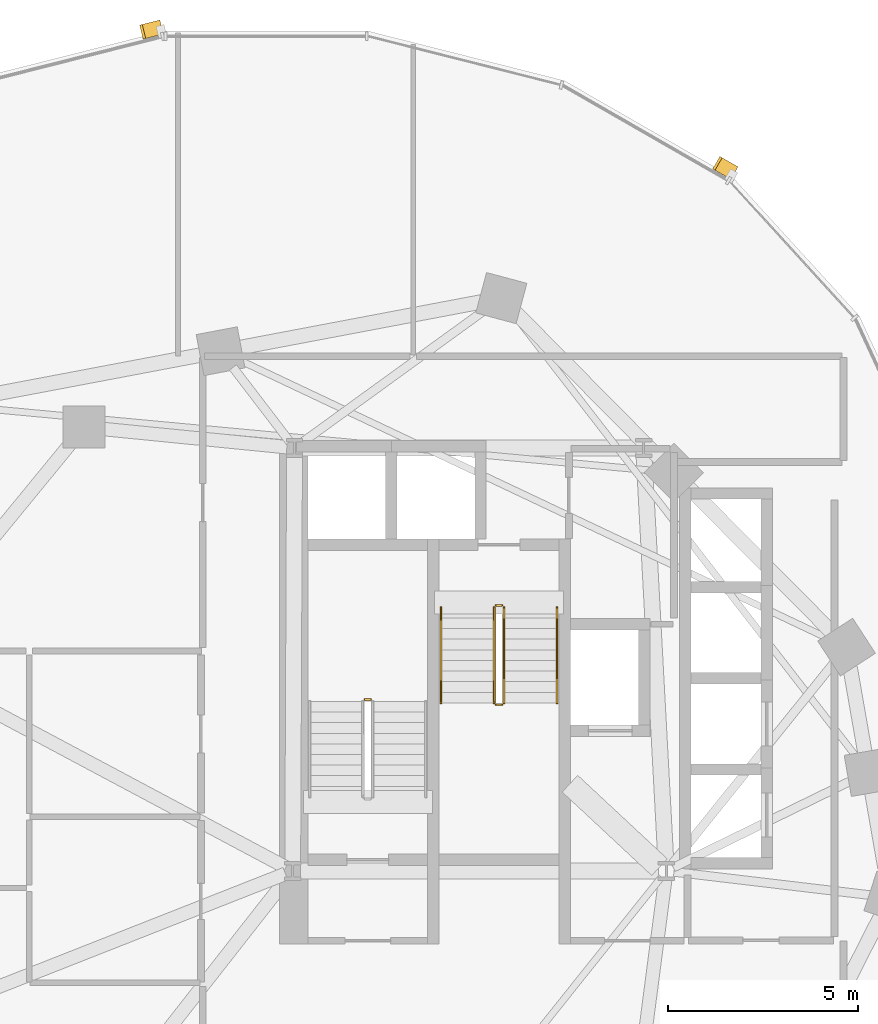
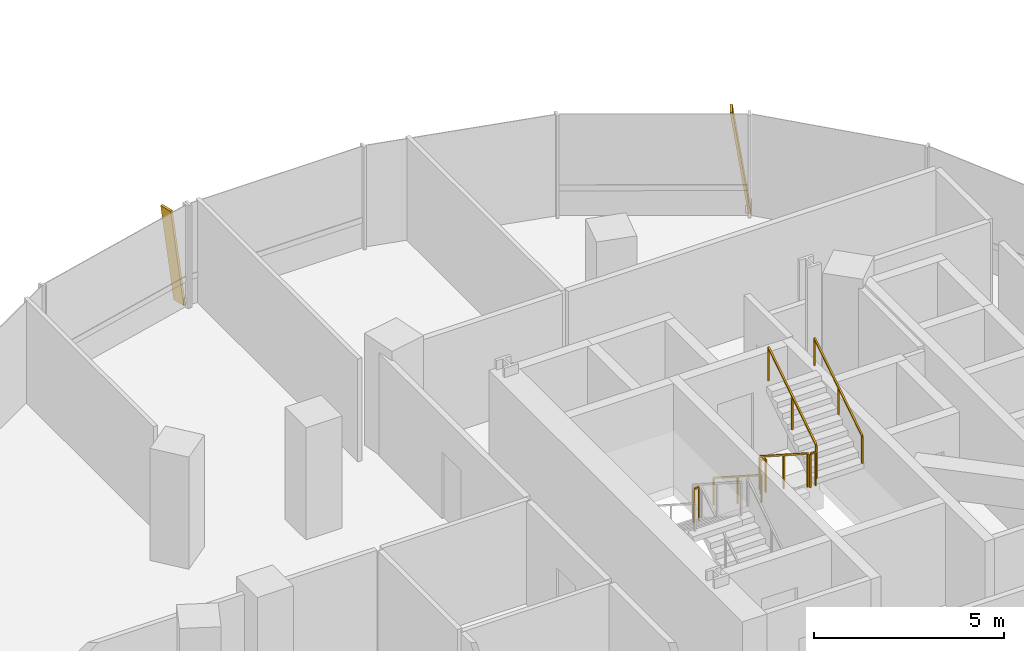
# One storey, part 19 of 21: 7 railings, 2 shading devices.
"""IFC4 building model written with IfcOpenShell, lengths in metres."""

import ifcopenshell
import ifcopenshell.guid

model = None  # the IFC model being written
_history = None  # IfcOwnerHistory: only IFC2X3 demands one
_inside = {}  # id of a spatial element -> (the spatial element, [elements in it])
_under = {}  # id of a project, library or spatial element -> (it, [spatial elements below it])
_declared = {}  # id of a project -> (the project, [libraries it declares])
_typed = {}  # id of a type object -> (the type object, [elements of that type])
_made_of = {}  # id of a material, layer set ... -> (it, [elements and type objects made of it])


def new_model(schema):
    """Start an empty IFC model of exactly this schema.

    Asked for "IFC4X3", IfcOpenShell would pick the latest addendum, in which some entities
    have other attributes; the version numbers below select the first issue.
    IFC2X3 requires an IfcOwnerHistory on every rooted entity: one is made here for all.
    """
    global model, _history
    if schema == "IFC4X3":
        model = ifcopenshell.file(schema_version=(4, 3, 0, 0))
    else:
        model = ifcopenshell.file(schema=schema)
    _inside.clear()
    _under.clear()
    _declared.clear()
    _typed.clear()
    _made_of.clear()
    _history = None
    if model.schema == "IFC2X3":
        org = make("IfcOrganization", Name="unknown")
        user = make(
            "IfcPersonAndOrganization",
            ThePerson=make("IfcPerson", FamilyName="unknown"),
            TheOrganization=org,
        )
        app = make(
            "IfcApplication",
            ApplicationDeveloper=org,
            Version="unknown",
            ApplicationFullName="unknown",
            ApplicationIdentifier="unknown",
        )
        _history = make(
            "IfcOwnerHistory",
            OwningUser=user,
            OwningApplication=app,
            ChangeAction="ADDED",
            CreationDate=0,
        )
    return model


def make(cls, **values):
    """One entity of the class cls with the attributes given. An attribute that is None is left unset."""
    return model.create_entity(
        cls, **{name: value for name, value in values.items() if value is not None}
    )


def rooted(cls, **values):
    """An entity with a GlobalId (a new one), such as an element, a storey or a relation."""
    return make(cls, GlobalId=ifcopenshell.guid.new(), OwnerHistory=_history, **values)


def si_unit(unit_type, name, prefix=None):
    """IfcSIUnit, for example si_unit("LENGTHUNIT", "METRE", prefix="MILLI")."""
    return make("IfcSIUnit", UnitType=unit_type, Prefix=prefix, Name=name)


def assignment(units):
    """IfcUnitAssignment: the units of a project."""
    return None if units is None else make("IfcUnitAssignment", Units=units)


def point(xyz):
    """IfcCartesianPoint."""
    return None if xyz is None else make("IfcCartesianPoint", Coordinates=xyz)


def direction(xyz):
    """IfcDirection."""
    return None if xyz is None else make("IfcDirection", DirectionRatios=xyz)


def frame(location, z_axis=None, x_axis=None):
    """IfcAxis2Placement3D, a coordinate frame: its origin and axes. An axis left out is left unset."""
    return make(
        "IfcAxis2Placement3D",
        Location=point(location),
        Axis=direction(z_axis),
        RefDirection=direction(x_axis),
    )


def frame_2d(location, x_axis=None):
    """IfcAxis2Placement2D, a coordinate frame in the plane: its origin and x axis."""
    return make(
        "IfcAxis2Placement2D", Location=point(location), RefDirection=direction(x_axis)
    )


def origin():
    """The frame at (0, 0, 0) with its axes left unset."""
    return frame((0.0, 0.0, 0.0))


def origin_2d():
    """The frame at (0, 0) in the plane with its x axis left unset."""
    return frame_2d((0.0, 0.0))


def place(relative_to, where):
    """IfcLocalPlacement: puts the frame where relative to a parent placement (None: the world)."""
    return make(
        "IfcLocalPlacement", PlacementRelTo=relative_to, RelativePlacement=where
    )


def context(
    kind, dimensions, precision=None, world=None, true_north=None, identifier=None
):
    """IfcGeometricRepresentationContext, for example the 3D "Model" context."""
    return make(
        "IfcGeometricRepresentationContext",
        ContextIdentifier=identifier,
        ContextType=kind,
        CoordinateSpaceDimension=dimensions,
        Precision=precision,
        WorldCoordinateSystem=world,
        TrueNorth=true_north,
    )


def subcontext(parent, identifier, kind, view, scale=None):
    """IfcGeometricRepresentationSubContext, for example "Body" below "Model"."""
    return make(
        "IfcGeometricRepresentationSubContext",
        ContextIdentifier=identifier,
        ContextType=kind,
        ParentContext=parent,
        TargetScale=scale,
        TargetView=view,
    )


def project(units=None, contexts=None):
    """IfcProject with its units and contexts."""
    return rooted(
        "IfcProject",
        Name="project",
        RepresentationContexts=contexts,
        UnitsInContext=assignment(units),
    )


def spatial(cls, under=None, at=None, **own):
    """A site, building, storey or space (cls), placed at a placement, below another one or the project."""
    s = rooted(cls, ObjectPlacement=at, **own)
    if under is not None:
        _under.setdefault(under.id(), (under, []))[1].append(s)
    return s


def profile(cls, at=None, kind="AREA", **sizes):
    """A parametric profile (cls). Its sizes go by their IFC names, for example OverallWidth=200.0."""
    return make(cls, ProfileType=kind, Position=at, **sizes)


def rectangle(**sizes):
    """IfcRectangleProfileDef."""
    return profile("IfcRectangleProfileDef", **sizes)


def extrude(swept, where, along, depth):
    """IfcExtrudedAreaSolid: the profile swept, set in the frame where, extruded along a direction by depth."""
    return make(
        "IfcExtrudedAreaSolid",
        SweptArea=swept,
        Position=where,
        ExtrudedDirection=direction(along),
        Depth=depth,
    )


def shape(context_of_items, identifier, shape_type, items):
    """IfcShapeRepresentation: the items that make up one representation, for example the "Body"."""
    return make(
        "IfcShapeRepresentation",
        ContextOfItems=context_of_items,
        RepresentationIdentifier=identifier,
        RepresentationType=shape_type,
        Items=items,
    )


def material(Name=None, Category=None):
    """IfcMaterial."""
    return make("IfcMaterial", Name=Name, Category=Category)


def material_profile(
    of_material, cross_section, Name=None, Category=None, Priority=None
):
    """IfcMaterialProfile: a cross section and its material."""
    return make(
        "IfcMaterialProfile",
        Name=Name,
        Material=of_material,
        Profile=cross_section,
        Priority=Priority,
        Category=Category,
    )


def profile_set(profiles, Name=None, composite=None):
    """IfcMaterialProfileSet."""
    return make(
        "IfcMaterialProfileSet",
        Name=Name,
        MaterialProfiles=profiles,
        CompositeProfile=composite,
    )


def made_of(thing, what):
    """Note that an element or type object is made of a material, layer set ...; save() writes the relation."""
    if what is not None:
        _made_of.setdefault(what.id(), (what, []))[1].append(thing)
    return thing


def type_object(cls, material=None, **own):
    """A type object (cls), such as IfcWallType, which elements share."""
    return made_of(rooted(cls, **own), material)


def element(
    cls,
    number,
    at=None,
    inside=None,
    cuts=None,
    type_object=None,
    material=None,
    context=None,
    identifier="Body",
    shape_type=None,
    held_by="IfcProductDefinitionShape",
    body=None,
    shapes=None,
    **own,
):
    """One element of the class cls, such as IfcWall. Its Tag is "e" and its number.

    at: its placement. inside: the storey or other place that contains it. cuts: it is an
    opening in that element (IfcRelVoidsElement). A single representation is given by context,
    identifier, shape_type and body (its items); several are given by shapes. held_by: the class
    of the entity that holds the representations. save() writes the other relations.
    """
    e = rooted(cls, Tag="e%d" % number, ObjectPlacement=at, **own)
    if body is not None:
        shapes = [shape(context, identifier, shape_type, body)]
    if shapes is not None:
        e.Representation = make(held_by, Representations=shapes)
    if inside is not None:
        _inside.setdefault(inside.id(), (inside, []))[1].append(e)
    if cuts is not None:
        rooted(
            "IfcRelVoidsElement", RelatingBuildingElement=cuts, RelatedOpeningElement=e
        )
    if type_object is not None:
        _typed.setdefault(type_object.id(), (type_object, []))[1].append(e)
    return made_of(e, material)


def aggregate(whole, parts):
    """IfcRelAggregates: a whole, such as a stair, and the parts it consists of."""
    return rooted("IfcRelAggregates", RelatingObject=whole, RelatedObjects=parts)


def save(model, path):
    """Write the relations noted so far, then the file.

    IfcRelAggregates (storeys below a building ...), IfcRelContainedInSpatialStructure (elements
    in a storey), IfcRelDefinesByType, IfcRelAssociatesMaterial and IfcRelDeclares: one each for
    every whole, place, type object, material and project.
    """
    for whole, parts in _under.values():
        aggregate(whole, parts)
    for where, things in _inside.values():
        rooted(
            "IfcRelContainedInSpatialStructure",
            RelatedElements=things,
            RelatingStructure=where,
        )
    for kind, things in _typed.values():
        rooted("IfcRelDefinesByType", RelatedObjects=things, RelatingType=kind)
    for what, things in _made_of.values():
        rooted("IfcRelAssociatesMaterial", RelatedObjects=things, RelatingMaterial=what)
    for by, libraries in _declared.values():
        rooted("IfcRelDeclares", RelatingContext=by, RelatedDefinitions=libraries)
    model.write(path)


model = new_model("IFC4")

# Units and contexts
model_context = context("Model", 3, precision=1e-05, world=origin(), true_north=direction((0.0, 1.0)))
body_context = subcontext(model_context, "Body", "Model", "MODEL_VIEW")
ifc_project = project(units=[si_unit("LENGTHUNIT", "METRE"), si_unit("AREAUNIT", "SQUARE_METRE"), si_unit("VOLUMEUNIT", "CUBIC_METRE"), si_unit("PLANEANGLEUNIT", "RADIAN"), si_unit("MASSUNIT", "GRAM", prefix="KILO"), si_unit("THERMODYNAMICTEMPERATUREUNIT", "KELVIN"), si_unit("POWERUNIT", "WATT")], contexts=[model_context])

# Site, building, storey
site_placement = place(None, origin())
site = spatial("IfcSite", under=ifc_project, at=site_placement, CompositionType="ELEMENT")
building_placement = place(site_placement, origin())
building = spatial("IfcBuilding", under=site, at=building_placement, Name="Cundina Bronze Exchange", CompositionType="ELEMENT")
storey_placement = place(building_placement, frame((0.0, 0.0, 96.199951171875)))
storey = spatial("IfcBuildingStorey", under=building, at=storey_placement, Name="L24", CompositionType="ELEMENT", Elevation=96.199951171875)

# Railings
ifc_material_1 = material(Name="Steel ASTM A36 Painted", Category="steel")
railing_type_1 = type_object("IfcRailingType", Name="RLG-HND-900", PredefinedType="HANDRAIL", material=ifc_material_1)
railing_1_placement = place(storey_placement, frame((-27.389892578125, 10.85009765625, 0.179931640625)))
element("IfcRailing", 1, at=railing_1_placement, inside=storey, type_object=railing_type_1, Name="L24 ST-W2 stair handrail 1", PredefinedType="HANDRAIL", context=body_context, shape_type="SweptSolid", body=[
    extrude(rectangle(XDim=0.048095703125, YDim=0.048095703125, at=origin_2d()), frame((0.0, 0.0, 0.8759765625), z_axis=(0.0, -0.841162588446, 0.540782303519), x_axis=(1.0, 0.0, 0.0)), (0.0, 0.0, 1.0), 2.995849609375),
    extrude(rectangle(XDim=0.0419921875, YDim=0.0419921875, at=origin_2d()), origin(), (0.0, 0.0, 1.0), 0.851806640625),
    extrude(rectangle(XDim=0.0419921875, YDim=0.0419921875, at=origin_2d()), frame((0.0, -1.260009765625, 0.81005859375)), (0.0, 0.0, 1.0), 0.851806640625),
    extrude(rectangle(XDim=0.0419921875, YDim=0.0419921875, at=origin_2d()), frame((0.0, -2.52001953125, 1.6201171875)), (0.0, 0.0, 1.0), 0.851806640625),
])
railing_2_placement = place(storey_placement, frame((-24.330078125, 8.330078125, 1.97998046875)))
element("IfcRailing", 2, at=railing_2_placement, inside=storey, type_object=railing_type_1, Name="L24 ST-W2 stair handrail 2", PredefinedType="HANDRAIL", context=body_context, shape_type="SweptSolid", body=[
    extrude(rectangle(XDim=0.048095703125, YDim=0.048095703125, at=origin_2d()), frame((0.0, 0.0, 0.8759765625), z_axis=(0.0, 0.841162588446, 0.540782303519), x_axis=(-1.0, 0.0, 0.0)), (0.0, 0.0, 1.0), 2.995849609375),
    extrude(rectangle(XDim=0.0419921875, YDim=0.0419921875, at=origin_2d()), origin(), (0.0, 0.0, 1.0), 0.851806640625),
    extrude(rectangle(XDim=0.0419921875, YDim=0.0419921875, at=origin_2d()), frame((0.0, 1.260009765625, 0.81005859375)), (0.0, 0.0, 1.0), 0.851806640625),
    extrude(rectangle(XDim=0.0419921875, YDim=0.0419921875, at=origin_2d()), frame((0.0, 2.52001953125, 1.6201171875)), (0.0, 0.0, 1.0), 0.851806640625),
])
railing_type_2 = type_object("IfcRailingType", Name="RLG-STG-1100", PredefinedType="GUARDRAIL", material=ifc_material_1)
railing_3_placement = place(storey_placement, frame((-29.239990234375, 8.419921875, 1.800048828125)))
element("IfcRailing", 3, at=railing_3_placement, inside=storey, type_object=railing_type_2, Name="L24 ST-W1 stair guard 2", PredefinedType="GUARDRAIL", context=body_context, shape_type="SweptSolid", body=[
    extrude(rectangle(XDim=0.048095703125, YDim=0.048095703125, at=origin_2d()), frame((0.0, 0.0, 1.076171875), z_axis=(-1.0, 0.0, 0.0), x_axis=(0.0, -1.0, 0.0)), (0.0, 0.0, 1.0), 0.159912109375),
    extrude(rectangle(XDim=0.0419921875, YDim=0.0419921875, at=origin_2d()), origin(), (0.0, 0.0, 1.0), 1.052001953125),
    extrude(rectangle(XDim=0.0419921875, YDim=0.0419921875, at=origin_2d()), frame((-0.159912109375, 0.0, 0.0)), (0.0, 0.0, 1.0), 1.052001953125),
])
railing_4_placement = place(storey_placement, frame((-25.989990234375, 10.85009765625, 0.179931640625)))
element("IfcRailing", 4, at=railing_4_placement, inside=storey, type_object=railing_type_2, Name="L24 ST-W2 stair guard 1", PredefinedType="GUARDRAIL", context=body_context, shape_type="SweptSolid", body=[
    extrude(rectangle(XDim=0.048095703125, YDim=0.048095703125, at=origin_2d()), frame((0.0, 0.0, 1.076171875), z_axis=(0.0, -0.841162588446, 0.540782303519), x_axis=(1.0, 0.0, 0.0)), (0.0, 0.0, 1.0), 2.995849609375),
    extrude(rectangle(XDim=0.0419921875, YDim=0.0419921875, at=origin_2d()), origin(), (0.0, 0.0, 1.0), 1.052001953125),
    extrude(rectangle(XDim=0.0419921875, YDim=0.0419921875, at=origin_2d()), frame((0.0, -1.260009765625, 0.81005859375)), (0.0, 0.0, 1.0), 1.052001953125),
    extrude(rectangle(XDim=0.0419921875, YDim=0.0419921875, at=origin_2d()), frame((0.0, -2.52001953125, 1.6201171875)), (0.0, 0.0, 1.0), 1.052001953125),
])
railing_5_placement = place(storey_placement, frame((-25.93994140625, 8.280029296875, 1.800048828125)))
element("IfcRailing", 5, at=railing_5_placement, inside=storey, type_object=railing_type_2, Name="L24 ST-W2 stair guard 2", PredefinedType="GUARDRAIL", context=body_context, shape_type="SweptSolid", body=[
    extrude(rectangle(XDim=0.048095703125, YDim=0.048095703125, at=origin_2d()), frame((0.0, 0.0, 1.076171875), z_axis=(1.0, 0.0, 0.0), x_axis=(0.0, 1.0, 0.0)), (0.0, 0.0, 1.0), 0.159912109375),
    extrude(rectangle(XDim=0.0419921875, YDim=0.0419921875, at=origin_2d()), origin(), (0.0, 0.0, 1.0), 1.052001953125),
    extrude(rectangle(XDim=0.0419921875, YDim=0.0419921875, at=origin_2d()), frame((0.159912109375, 0.0, 0.0)), (0.0, 0.0, 1.0), 1.052001953125),
])
railing_6_placement = place(storey_placement, frame((-25.72998046875, 8.330078125, 1.97998046875)))
element("IfcRailing", 6, at=railing_6_placement, inside=storey, type_object=railing_type_2, Name="L24 ST-W2 stair guard 3", PredefinedType="GUARDRAIL", context=body_context, shape_type="SweptSolid", body=[
    extrude(rectangle(XDim=0.048095703125, YDim=0.048095703125, at=origin_2d()), frame((0.0, 0.0, 1.076171875), z_axis=(0.0, 0.841162588446, 0.540782303519), x_axis=(-1.0, 0.0, 0.0)), (0.0, 0.0, 1.0), 2.995849609375),
    extrude(rectangle(XDim=0.0419921875, YDim=0.0419921875, at=origin_2d()), origin(), (0.0, 0.0, 1.0), 1.052001953125),
    extrude(rectangle(XDim=0.0419921875, YDim=0.0419921875, at=origin_2d()), frame((0.0, 1.260009765625, 0.81005859375)), (0.0, 0.0, 1.0), 1.052001953125),
    extrude(rectangle(XDim=0.0419921875, YDim=0.0419921875, at=origin_2d()), frame((0.0, 2.52001953125, 1.6201171875)), (0.0, 0.0, 1.0), 1.052001953125),
])
railing_7_placement = place(storey_placement, frame((-25.93994140625, 10.89990234375, 0.0)))
element("IfcRailing", 7, at=railing_7_placement, inside=storey, type_object=railing_type_2, Name="L24 ST-W2 stair guard 4", PredefinedType="GUARDRAIL", context=body_context, shape_type="SweptSolid", body=[
    extrude(rectangle(XDim=0.048095703125, YDim=0.048095703125, at=origin_2d()), frame((0.0, 0.0, 1.076171875), z_axis=(1.0, 0.0, 0.0), x_axis=(0.0, 1.0, 0.0)), (0.0, 0.0, 1.0), 0.159912109375),
    extrude(rectangle(XDim=0.0419921875, YDim=0.0419921875, at=origin_2d()), origin(), (0.0, 0.0, 1.0), 1.052001953125),
    extrude(rectangle(XDim=0.0419921875, YDim=0.0419921875, at=origin_2d()), frame((0.159912109375, 0.0, 0.0)), (0.0, 0.0, 1.0), 1.052001953125),
])

# Shading devices
ifc_material_2 = material(Name="Anodised Bronze Aluminium 6063-T6", Category="aluminium")
ifc_material_profile = material_profile(ifc_material_2, rectangle(XDim=0.070068359375, YDim=0.3798828125, at=origin_2d()), Name="FIN70X380", Category="aluminium")
ifc_profile_set = profile_set([ifc_material_profile], Name="Anodised Bronze Aluminium 6063-T6")
shading_device_type = type_object("IfcShadingDeviceType", Name="SHD-FIN-BRZ380", PredefinedType="USERDEFINED", material=ifc_profile_set)
for number, where, z_axis, x_axis, name in (
    (8, (-19.685791015625, 22.314208984375, 0.02001953125), (-0.126324692219, 0.072534823274, 0.989333498649), (0.857958278167, -0.492634108109, 0.145668213594), "L24 Diagonal Bronze Solar Fin 5"),
    (9, (-34.787353515625, 26.138427734375, 0.02001953125), (-0.141217047268, -0.035711761166, 0.989334329575), (0.95914051701, 0.242552848478, 0.145662570088), "L24 Diagonal Bronze Solar Fin 1"),
):
    element("IfcShadingDevice", number, at=place(storey_placement, frame(where, z_axis=z_axis, x_axis=x_axis)), inside=storey, type_object=shading_device_type, Name=name, ObjectType="FIN", PredefinedType="USERDEFINED", context=body_context, shape_type="SweptSolid", body=[
        extrude(rectangle(XDim=0.070068359375, YDim=0.3798828125, at=origin_2d()), origin(), (0.0, 0.0, 1.0), 3.295166015625),
    ])

save(model, "model.ifc")
